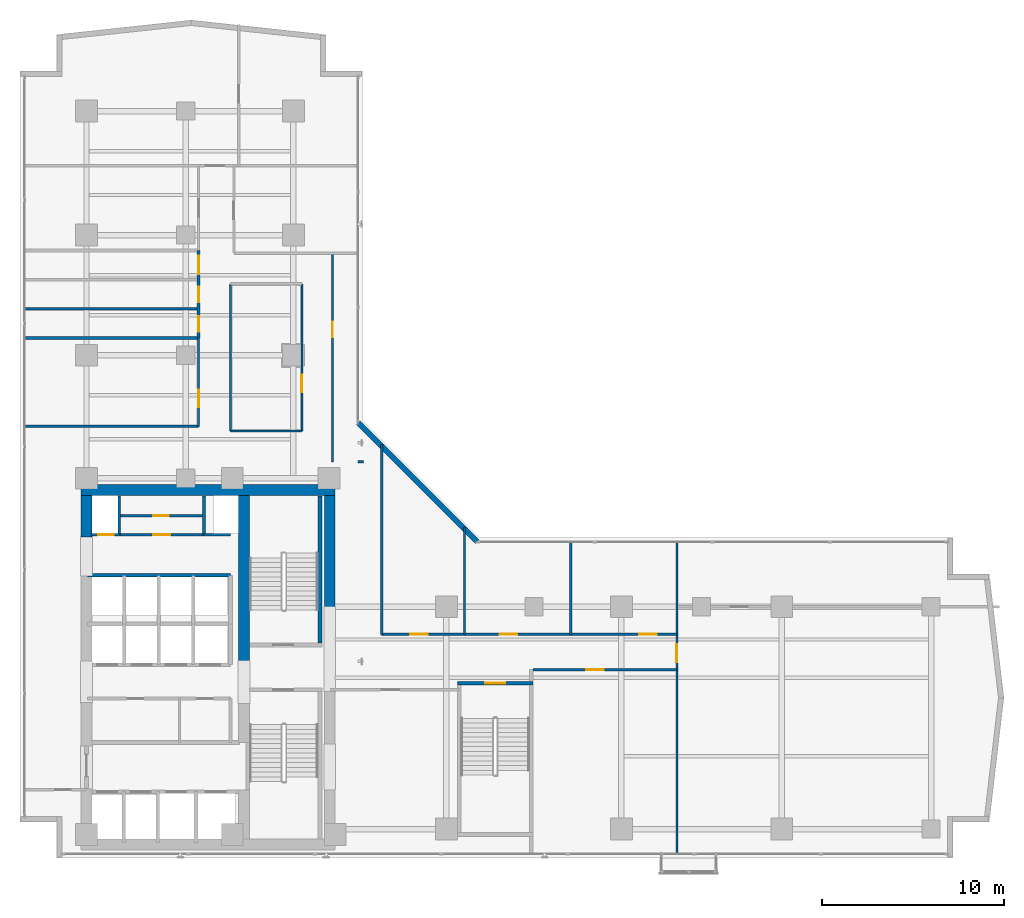
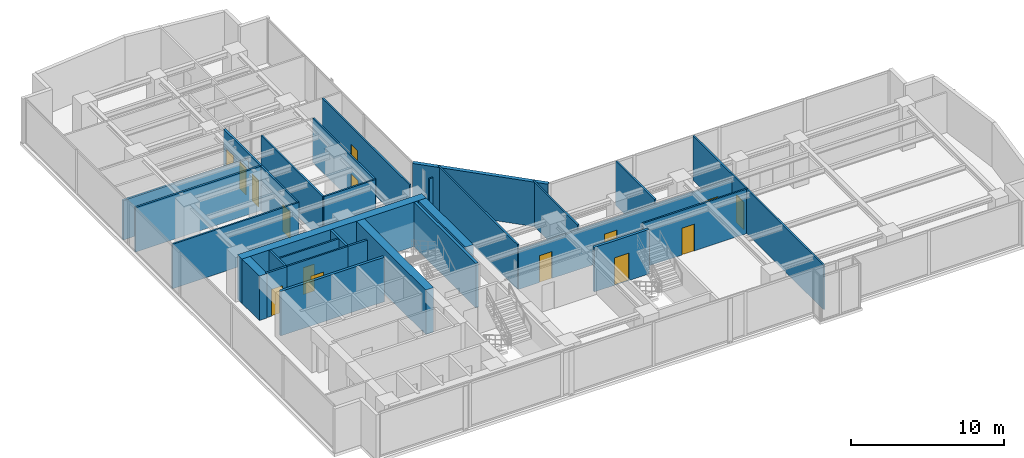
# One storey, part 20 of 26: 30 walls, 15 doors, 15 openings.
"""IFC4 building model written with IfcOpenShell, lengths in metres."""

from ifc_helpers import new_model, si_unit, direction, frame, frame_2d, origin, place, context, subcontext, project, spatial, rectangle, extrude, material, layer, layer_set, type_object, element, fill, save


model = new_model("IFC4")

# Units and contexts
model_context = context("Model", 3, precision=1e-05, world=origin(), true_north=direction((0.0, 1.0)))
body_context = subcontext(model_context, "Body", "Model", "MODEL_VIEW")
ifc_project = project(units=[si_unit("LENGTHUNIT", "METRE"), si_unit("AREAUNIT", "SQUARE_METRE"), si_unit("VOLUMEUNIT", "CUBIC_METRE"), si_unit("PLANEANGLEUNIT", "RADIAN"), si_unit("MASSUNIT", "GRAM", prefix="KILO")], contexts=[model_context])

# Site, building, storey
site_placement = place(None, origin())
site = spatial("IfcSite", under=ifc_project, at=site_placement, CompositionType="ELEMENT")
building_placement = place(site_placement, origin())
building = spatial("IfcBuilding", under=site, at=building_placement, Name="Kolvaren Waterfront Exchange", CompositionType="ELEMENT")
storey_placement = place(building_placement, frame((0.0, 0.0, 150.0)))
storey = spatial("IfcBuildingStorey", under=building, at=storey_placement, Name="L38", CompositionType="ELEMENT", Elevation=150.0)

# Wall
ifc_material_1 = material(Name="Precast concrete C40/50", Category="concrete")
ifc_layer_1 = layer(ifc_material_1, 0.280029296875, Name="Precast concrete C40/50")
ifc_layer_set_1 = layer_set([ifc_layer_1], Name="Precast concrete C40/50")
wall_type_1 = type_object("IfcWallType", Name="ARC-EXT-TERR-280", PredefinedType="SOLIDWALL", material=ifc_layer_set_1)
wall_1_placement = place(storey_placement, frame((28.885009765625, 20.97509765625, 0.0), z_axis=(0.0, 0.0, 1.0), x_axis=(-0.707106781187, 0.707106781187, 0.0)))
element("IfcWall", 1, at=wall_1_placement, inside=storey, type_object=wall_type_1, Name="L38 notched corner spandrel pier ELBOW", PredefinedType="SOLIDWALL", context=body_context, shape_type="SweptSolid", body=[
    extrude(rectangle(XDim=9.20654296875, YDim=0.280029296875, at=frame_2d((4.603271484375, 0.0))), origin(), (0.0, 0.0, 1.0), 3.56005859375),
])

# Wall, opening, door
ifc_material_2 = material(Name="Acoustic gypsum steel stud", Category="steel")
ifc_layer_2 = layer(ifc_material_2, 0.125, Name="Acoustic gypsum steel stud")
ifc_layer_set_2 = layer_set([ifc_layer_2], Name="Acoustic gypsum steel stud")
wall_type_2 = type_object("IfcWallType", Name="ARC-PART-125", PredefinedType="PARTITIONING", material=ifc_layer_set_2)
wall_2_placement = place(storey_placement, frame((9.25, 21.35009765625, 0.0), z_axis=(0.0, 0.0, 1.0), x_axis=(1.0, 0.0, 0.0)))
wall_2 = element("IfcWall", 2, at=wall_2_placement, inside=storey, type_object=wall_type_2, Name="L38 interior wall PW-L38-SVC-EX-S", PredefinedType="PARTITIONING", context=body_context, shape_type="SweptSolid", body=[
    extrude(rectangle(XDim=4.64990234375, YDim=0.125, at=frame_2d((2.324951171875, 0.0))), origin(), (0.0, 0.0, 1.0), 3.56005859375),
])
opening_1_placement = place(wall_2_placement, frame((1.85009765625, 0.0, 0.0)))
opening_1 = element("IfcOpeningElement", 3, at=opening_1_placement, cuts=wall_2, Name="Opening D02", PredefinedType="OPENING", context=body_context, shape_type="SweptSolid", body=[
    extrude(rectangle(XDim=0.949951171875, YDim=2.14990234375, at=frame_2d((0.47509765625, 1.074951171875))), frame((0.0, 0.072509765625, 0.0), z_axis=(0.0, -1.0, 0.0), x_axis=(1.0, 0.0, 0.0)), (0.0, 0.0, 1.0), 0.14501953125),
])
ifc_material_3 = material(Name="Oak veneer acoustic timber", Category="wood")
door_type_1 = type_object("IfcDoorType", Name="ARC-DR-950", OperationType="NOTDEFINED", PredefinedType="DOOR", material=ifc_material_3)
door_1_placement = place(opening_1_placement, origin())
door_1 = element("IfcDoor", 4, at=door_1_placement, inside=storey, type_object=door_type_1, Name="L38 door DR-L38-SVC-DR-1 (D02)", OperationType="SINGLE_SWING_LEFT", OverallHeight=2.14990234375, OverallWidth=0.949951171875, PredefinedType="DOOR", context=body_context, shape_type="SweptSolid", body=[
    extrude(rectangle(XDim=0.949951171875, YDim=2.14990234375, at=frame_2d((0.47509765625, 1.074951171875))), frame((0.0, 0.02490234375, 0.0), z_axis=(0.0, -1.0, 0.0), x_axis=(1.0, 0.0, 0.0)), (0.0, 0.0, 1.0), 0.050048828125),
])
fill(opening_1, door_1)

wall_3_placement = place(storey_placement, frame((9.25, 22.39990234375, 0.0), z_axis=(0.0, 0.0, 1.0), x_axis=(1.0, 0.0, 0.0)))
wall_3 = element("IfcWall", 5, at=wall_3_placement, inside=storey, type_object=wall_type_2, Name="L38 interior wall PW-L38-SVC-EX-HS", PredefinedType="PARTITIONING", context=body_context, shape_type="SweptSolid", body=[
    extrude(rectangle(XDim=4.64990234375, YDim=0.125, at=frame_2d((2.324951171875, 0.0))), origin(), (0.0, 0.0, 1.0), 3.56005859375),
])
opening_2_placement = place(wall_3_placement, frame((1.875, 0.0, 0.0)))
opening_2 = element("IfcOpeningElement", 6, at=opening_2_placement, cuts=wall_3, Name="Opening D01", PredefinedType="OPENING", context=body_context, shape_type="SweptSolid", body=[
    extrude(rectangle(XDim=0.85009765625, YDim=2.14990234375, at=frame_2d((0.425048828125, 1.074951171875))), frame((0.0, 0.072509765625, 0.0), z_axis=(0.0, -1.0, 0.0), x_axis=(1.0, 0.0, 0.0)), (0.0, 0.0, 1.0), 0.14501953125),
])
ifc_material_4 = material(Name="Oak veneer timber leaf", Category="wood")
door_type_2 = type_object("IfcDoorType", Name="ARC-DR-900", OperationType="NOTDEFINED", PredefinedType="DOOR", material=ifc_material_4)
door_2_placement = place(opening_2_placement, origin())
door_2 = element("IfcDoor", 7, at=door_2_placement, inside=storey, type_object=door_type_2, Name="L38 door DR-L38-SVC-DR-2 (D01)", OperationType="SINGLE_SWING_RIGHT", OverallHeight=2.14990234375, OverallWidth=0.85009765625, PredefinedType="DOOR", context=body_context, shape_type="SweptSolid", body=[
    extrude(rectangle(XDim=0.85009765625, YDim=2.14990234375, at=frame_2d((0.425048828125, 1.074951171875))), frame((0.0, 0.02490234375, 0.0), z_axis=(0.0, -1.0, 0.0), x_axis=(1.0, 0.0, 0.0)), (0.0, 0.0, 1.0), 0.050048828125),
])
fill(opening_2, door_2)

# Walls
wall_4_placement = place(storey_placement, frame((15.35009765625, 27.050048828125, 0.0), z_axis=(0.0, 0.0, 1.0), x_axis=(1.0, 0.0, 0.0)))
element("IfcWall", 8, at=wall_4_placement, inside=storey, type_object=wall_type_2, Name="L38 interior wall PW-L38-ISL-S", PredefinedType="PARTITIONING", context=body_context, shape_type="SweptSolid", body=[
    extrude(rectangle(XDim=3.919921875, YDim=0.125, at=frame_2d((1.9599609375, 0.0))), origin(), (0.0, 0.0, 1.0), 3.56005859375),
])
wall_5_placement = place(storey_placement, frame((15.35009765625, 27.050048828125, 0.0), z_axis=(0.0, 0.0, 1.0), x_axis=(0.0, 1.0, 0.0)))
element("IfcWall", 9, at=wall_5_placement, inside=storey, type_object=wall_type_2, Name="L38 interior wall PW-L38-ISL-W", PredefinedType="PARTITIONING", context=body_context, shape_type="SweptSolid", body=[
    extrude(rectangle(XDim=8.070068359375, YDim=0.125, at=frame_2d((4.03515625, 0.0))), origin(), (0.0, 0.0, 1.0), 3.56005859375),
])

# Wall, opening, door
wall_6_placement = place(storey_placement, frame((19.27001953125, 27.050048828125, 0.0), z_axis=(0.0, 0.0, 1.0), x_axis=(0.0, 1.0, 0.0)))
wall_6 = element("IfcWall", 10, at=wall_6_placement, inside=storey, type_object=wall_type_2, Name="L38 interior wall PW-L38-ISL-E", PredefinedType="PARTITIONING", context=body_context, shape_type="SweptSolid", body=[
    extrude(rectangle(XDim=8.070068359375, YDim=0.125, at=frame_2d((4.03515625, 0.0))), origin(), (0.0, 0.0, 1.0), 3.56005859375),
])
opening_3_placement = place(wall_6_placement, frame((2.126708984375, 0.0, 0.0)))
opening_3 = element("IfcOpeningElement", 11, at=opening_3_placement, cuts=wall_6, Name="Opening D02", PredefinedType="OPENING", context=body_context, shape_type="SweptSolid", body=[
    extrude(rectangle(XDim=0.949951171875, YDim=2.14990234375, at=frame_2d((0.47509765625, 1.074951171875))), frame((0.0, 0.072509765625, 0.0), z_axis=(0.0, -1.0, 0.0), x_axis=(1.0, 0.0, 0.0)), (0.0, 0.0, 1.0), 0.14501953125),
])
door_3_placement = place(opening_3_placement, origin())
door_3 = element("IfcDoor", 12, at=door_3_placement, inside=storey, type_object=door_type_1, Name="L38 door DR-L38-ISL-D (D02)", OperationType="SINGLE_SWING_LEFT", OverallHeight=2.14990234375, OverallWidth=0.949951171875, PredefinedType="DOOR", context=body_context, shape_type="SweptSolid", body=[
    extrude(rectangle(XDim=0.949951171875, YDim=2.14990234375, at=frame_2d((0.47509765625, 1.074951171875))), frame((0.0, 0.02490234375, 0.0), z_axis=(0.0, -1.0, 0.0), x_axis=(1.0, 0.0, 0.0)), (0.0, 0.0, 1.0), 0.050048828125),
])
fill(opening_3, door_3)

wall_7_placement = place(storey_placement, frame((13.60009765625, 27.300048828125, 0.0), z_axis=(0.0, 0.0, 1.0), x_axis=(0.0, 1.0, 0.0)))
wall_7 = element("IfcWall", 13, at=wall_7_placement, inside=storey, type_object=wall_type_2, Name="L38 interior wall PW-L38-PREWC-E", PredefinedType="PARTITIONING", context=body_context, shape_type="SweptSolid", body=[
    extrude(rectangle(XDim=4.849853515625, YDim=0.125, at=frame_2d((2.4248046875, 0.0))), origin(), (0.0, 0.0, 1.0), 3.56005859375),
])
opening_4_placement = place(wall_7_placement, frame((1.050048828125, 0.0, 0.0)))
opening_4 = element("IfcOpeningElement", 14, at=opening_4_placement, cuts=wall_7, Name="Opening D02", PredefinedType="OPENING", context=body_context, shape_type="SweptSolid", body=[
    extrude(rectangle(XDim=0.949951171875, YDim=2.14990234375, at=frame_2d((0.47509765625, 1.074951171875))), frame((0.0, 0.072509765625, 0.0), z_axis=(0.0, -1.0, 0.0), x_axis=(1.0, 0.0, 0.0)), (0.0, 0.0, 1.0), 0.14501953125),
])
door_4_placement = place(opening_4_placement, origin())
door_4 = element("IfcDoor", 15, at=door_4_placement, inside=storey, type_object=door_type_1, Name="L38 door DR-L38-PREWC-D (D02)", OperationType="SINGLE_SWING_RIGHT", OverallHeight=2.14990234375, OverallWidth=0.949951171875, PredefinedType="DOOR", context=body_context, shape_type="SweptSolid", body=[
    extrude(rectangle(XDim=0.949951171875, YDim=2.14990234375, at=frame_2d((0.47509765625, 1.074951171875))), frame((0.0, 0.02490234375, 0.0), z_axis=(0.0, -1.0, 0.0), x_axis=(1.0, 0.0, 0.0)), (0.0, 0.0, 1.0), 0.050048828125),
])
fill(opening_4, door_4)

# Wall
wall_8_placement = place(storey_placement, frame((4.0400390625, 27.300048828125, 0.0), z_axis=(0.0, 0.0, 1.0), x_axis=(1.0, 0.0, 0.0)))
element("IfcWall", 16, at=wall_8_placement, inside=storey, type_object=wall_type_2, Name="L38 interior wall PW-L38-PREWC-S", PredefinedType="PARTITIONING", context=body_context, shape_type="SweptSolid", body=[
    extrude(rectangle(XDim=9.56005859375, YDim=0.125, at=frame_2d((4.780029296875, 0.0))), origin(), (0.0, 0.0, 1.0), 3.56005859375),
])

# Wall, opening, door
wall_9_placement = place(storey_placement, frame((20.949951171875, 25.35009765625, 0.0), z_axis=(0.0, 0.0, 1.0), x_axis=(0.0, 1.0, 0.0)))
wall_9 = element("IfcWall", 17, at=wall_9_placement, inside=storey, type_object=wall_type_2, Name="L38 interior wall PW-L38-RFLANK-W", PredefinedType="PARTITIONING", context=body_context, shape_type="SweptSolid", body=[
    extrude(rectangle(XDim=11.449951171875, YDim=0.125, at=frame_2d((5.72509765625, 0.0))), origin(), (0.0, 0.0, 1.0), 3.56005859375),
])
opening_5_placement = place(wall_9_placement, frame((6.834716796875, 0.0, 0.0)))
opening_5 = element("IfcOpeningElement", 18, at=opening_5_placement, cuts=wall_9, Name="Opening D01", PredefinedType="OPENING", context=body_context, shape_type="SweptSolid", body=[
    extrude(rectangle(XDim=0.85009765625, YDim=2.14990234375, at=frame_2d((0.425048828125, 1.074951171875))), frame((0.0, 0.072509765625, 0.0), z_axis=(0.0, -1.0, 0.0), x_axis=(1.0, 0.0, 0.0)), (0.0, 0.0, 1.0), 0.14501953125),
])
door_5_placement = place(opening_5_placement, origin())
door_5 = element("IfcDoor", 19, at=door_5_placement, inside=storey, type_object=door_type_2, Name="L38 door DR-L38-RFLANK-D (D01)", OperationType="SINGLE_SWING_RIGHT", OverallHeight=2.14990234375, OverallWidth=0.85009765625, PredefinedType="DOOR", context=body_context, shape_type="SweptSolid", body=[
    extrude(rectangle(XDim=0.85009765625, YDim=2.14990234375, at=frame_2d((0.425048828125, 1.074951171875))), frame((0.0, 0.02490234375, 0.0), z_axis=(0.0, -1.0, 0.0), x_axis=(1.0, 0.0, 0.0)), (0.0, 0.0, 1.0), 0.050048828125),
])
fill(opening_5, door_5)

# Wall
wall_10_placement = place(storey_placement, frame((22.64990234375, 25.35009765625, 0.0), z_axis=(0.0, 0.0, 1.0), x_axis=(-1.0, 0.0, 0.0)))
element("IfcWall", 20, at=wall_10_placement, inside=storey, type_object=wall_type_2, Name="L38 interior wall PW-L38-RFLANK-S", PredefinedType="PARTITIONING", context=body_context, shape_type="SweptSolid", body=[
    extrude(rectangle(XDim=0.289794921875, YDim=0.125, at=frame_2d((0.14501953125, 0.0))), origin(), (0.0, 0.0, 1.0), 3.56005859375),
])

# Wall, opening, door
wall_11_placement = place(storey_placement, frame((31.949951171875, 13.949951171875, 0.0), z_axis=(0.0, 0.0, 1.0), x_axis=(1.0, 0.0, 0.0)))
wall_11 = element("IfcWall", 21, at=wall_11_placement, inside=storey, type_object=wall_type_2, Name="L38 interior wall PW-L38-ES-CORR", PredefinedType="PARTITIONING", context=body_context, shape_type="SweptSolid", body=[
    extrude(rectangle(XDim=7.900146484375, YDim=0.125, at=frame_2d((3.9501953125, 0.0))), origin(), (0.0, 0.0, 1.0), 3.56005859375),
])
opening_6_placement = place(wall_11_placement, frame((2.9296875, 0.0, 0.0)))
opening_6 = element("IfcOpeningElement", 22, at=opening_6_placement, cuts=wall_11, Name="Opening D02", PredefinedType="OPENING", context=body_context, shape_type="SweptSolid", body=[
    extrude(rectangle(XDim=0.949951171875, YDim=2.14990234375, at=frame_2d((0.47509765625, 1.074951171875))), frame((0.0, 0.072509765625, 0.0), z_axis=(0.0, -1.0, 0.0), x_axis=(1.0, 0.0, 0.0)), (0.0, 0.0, 1.0), 0.14501953125),
])
door_6_placement = place(opening_6_placement, origin())
door_6 = element("IfcDoor", 23, at=door_6_placement, inside=storey, type_object=door_type_1, Name="L38 door DR-L38-ES-D-1 (D02)", OperationType="SINGLE_SWING_LEFT", OverallHeight=2.14990234375, OverallWidth=0.949951171875, PredefinedType="DOOR", context=body_context, shape_type="SweptSolid", body=[
    extrude(rectangle(XDim=0.949951171875, YDim=2.14990234375, at=frame_2d((0.47509765625, 1.074951171875))), frame((0.0, 0.02490234375, 0.0), z_axis=(0.0, -1.0, 0.0), x_axis=(1.0, 0.0, 0.0)), (0.0, 0.0, 1.0), 0.050048828125),
])
fill(opening_6, door_6)

wall_12_placement = place(storey_placement, frame((39.85009765625, 3.840087890625, 0.0), z_axis=(0.0, 0.0, 1.0), x_axis=(0.0, 1.0, 0.0)))
wall_12 = element("IfcWall", 24, at=wall_12_placement, inside=storey, type_object=wall_type_2, Name="L38 interior wall PW-L38-ETIP-W", PredefinedType="PARTITIONING", context=body_context, shape_type="SweptSolid", body=[
    extrude(rectangle(XDim=17.119873046875, YDim=0.125, at=frame_2d((8.56005859375, 0.0))), origin(), (0.0, 0.0, 1.0), 3.56005859375),
])
opening_7_placement = place(wall_12_placement, frame((10.510009765625, 0.0, 0.0)))
opening_7 = element("IfcOpeningElement", 25, at=opening_7_placement, cuts=wall_12, Name="Opening D03", PredefinedType="OPENING", context=body_context, shape_type="SweptSolid", body=[
    extrude(rectangle(XDim=1.0, YDim=2.199951171875, at=frame_2d((0.5, 1.10009765625))), frame((0.0, 0.072509765625, 0.0), z_axis=(0.0, -1.0, 0.0), x_axis=(1.0, 0.0, 0.0)), (0.0, 0.0, 1.0), 0.14501953125),
])
ifc_material_5 = material(Name="Oak veneer accessible timber", Category="wood")
door_type_3 = type_object("IfcDoorType", Name="ARC-DR-1000", OperationType="NOTDEFINED", PredefinedType="DOOR", material=ifc_material_5)
door_7_placement = place(opening_7_placement, origin())
door_7 = element("IfcDoor", 26, at=door_7_placement, inside=storey, type_object=door_type_3, Name="L38 door DR-L38-ETIP1-D (D03)", OperationType="SINGLE_SWING_RIGHT", OverallHeight=2.199951171875, OverallWidth=1.0, PredefinedType="DOOR", context=body_context, shape_type="SweptSolid", body=[
    extrude(rectangle(XDim=1.0, YDim=2.199951171875, at=frame_2d((0.5, 1.10009765625))), frame((0.0, 0.02490234375, 0.0), z_axis=(0.0, -1.0, 0.0), x_axis=(1.0, 0.0, 0.0)), (0.0, 0.0, 1.0), 0.050048828125),
])
fill(opening_7, door_7)

# Wall
wall_13_placement = place(storey_placement, frame((23.64990234375, 15.889892578125, 0.0), z_axis=(0.0, 0.0, 1.0), x_axis=(0.0, 1.0, 0.0)))
element("IfcWall", 27, at=wall_13_placement, inside=storey, type_object=wall_type_2, Name="L38 interior wall PW-L38-EN-W0", PredefinedType="PARTITIONING", context=body_context, shape_type="SweptSolid", body=[
    extrude(rectangle(XDim=10.420166015625, YDim=0.125, at=frame_2d((5.2099609375, 0.0))), origin(), (0.0, 0.0, 1.0), 3.56005859375),
])

# Wall, openings, doors
wall_14_placement = place(storey_placement, frame((23.64990234375, 15.889892578125, 0.0), z_axis=(0.0, 0.0, 1.0), x_axis=(1.0, 0.0, 0.0)))
wall_14 = element("IfcWall", 28, at=wall_14_placement, inside=storey, type_object=wall_type_2, Name="L38 interior wall PW-L38-EN-CORR", PredefinedType="PARTITIONING", context=body_context, shape_type="SweptSolid", body=[
    extrude(rectangle(XDim=16.2001953125, YDim=0.125, at=frame_2d((8.10009765625, 0.0))), origin(), (0.0, 0.0, 1.0), 3.159912109375),
])
opening_8_placement = place(wall_14_placement, frame((1.57470703125, 0.0, 0.0)))
opening_8 = element("IfcOpeningElement", 29, at=opening_8_placement, cuts=wall_14, Name="Opening D02", PredefinedType="OPENING", context=body_context, shape_type="SweptSolid", body=[
    extrude(rectangle(XDim=0.949951171875, YDim=2.14990234375, at=frame_2d((0.47509765625, 1.074951171875))), frame((0.0, 0.072509765625, 0.0), z_axis=(0.0, -1.0, 0.0), x_axis=(1.0, 0.0, 0.0)), (0.0, 0.0, 1.0), 0.14501953125),
])
opening_9_placement = place(wall_14_placement, frame((6.487548828125, 0.0, 0.0)))
opening_9 = element("IfcOpeningElement", 30, at=opening_9_placement, cuts=wall_14, Name="Opening D02", PredefinedType="OPENING", context=body_context, shape_type="SweptSolid", body=[
    extrude(rectangle(XDim=0.949951171875, YDim=2.14990234375, at=frame_2d((0.47509765625, 1.074951171875))), frame((0.0, 0.072509765625, 0.0), z_axis=(0.0, -1.0, 0.0), x_axis=(1.0, 0.0, 0.0)), (0.0, 0.0, 1.0), 0.14501953125),
])
opening_10_placement = place(wall_14_placement, frame((14.146484375, 0.0, 0.0)))
opening_10 = element("IfcOpeningElement", 31, at=opening_10_placement, cuts=wall_14, Name="Opening D02", PredefinedType="OPENING", context=body_context, shape_type="SweptSolid", body=[
    extrude(rectangle(XDim=0.949951171875, YDim=2.14990234375, at=frame_2d((0.47509765625, 1.074951171875))), frame((0.0, 0.072509765625, 0.0), z_axis=(0.0, -1.0, 0.0), x_axis=(1.0, 0.0, 0.0)), (0.0, 0.0, 1.0), 0.14501953125),
])
door_8_placement = place(opening_8_placement, origin())
door_8 = element("IfcDoor", 32, at=door_8_placement, inside=storey, type_object=door_type_1, Name="L38 door DR-L38-EN-D-1 (D02)", OperationType="SINGLE_SWING_RIGHT", OverallHeight=2.14990234375, OverallWidth=0.949951171875, PredefinedType="DOOR", context=body_context, shape_type="SweptSolid", body=[
    extrude(rectangle(XDim=0.949951171875, YDim=2.14990234375, at=frame_2d((0.47509765625, 1.074951171875))), frame((0.0, 0.02490234375, 0.0), z_axis=(0.0, -1.0, 0.0), x_axis=(1.0, 0.0, 0.0)), (0.0, 0.0, 1.0), 0.050048828125),
])
fill(opening_8, door_8)
door_9_placement = place(opening_9_placement, origin())
door_9 = element("IfcDoor", 33, at=door_9_placement, inside=storey, type_object=door_type_1, Name="L38 door DR-L38-EN-D-2 (D02)", OperationType="SINGLE_SWING_LEFT", OverallHeight=2.14990234375, OverallWidth=0.949951171875, PredefinedType="DOOR", context=body_context, shape_type="SweptSolid", body=[
    extrude(rectangle(XDim=0.949951171875, YDim=2.14990234375, at=frame_2d((0.47509765625, 1.074951171875))), frame((0.0, 0.02490234375, 0.0), z_axis=(0.0, -1.0, 0.0), x_axis=(1.0, 0.0, 0.0)), (0.0, 0.0, 1.0), 0.050048828125),
])
fill(opening_9, door_9)
door_10_placement = place(opening_10_placement, origin())
door_10 = element("IfcDoor", 34, at=door_10_placement, inside=storey, type_object=door_type_1, Name="L38 door DR-L38-EN-D-3 (D02)", OperationType="SINGLE_SWING_RIGHT", OverallHeight=2.14990234375, OverallWidth=0.949951171875, PredefinedType="DOOR", context=body_context, shape_type="SweptSolid", body=[
    extrude(rectangle(XDim=0.949951171875, YDim=2.14990234375, at=frame_2d((0.47509765625, 1.074951171875))), frame((0.0, 0.02490234375, 0.0), z_axis=(0.0, -1.0, 0.0), x_axis=(1.0, 0.0, 0.0)), (0.0, 0.0, 1.0), 0.050048828125),
])
fill(opening_10, door_10)

# Walls
wall_15_placement = place(storey_placement, frame((28.18994140625, 15.889892578125, 0.0), z_axis=(0.0, 0.0, 1.0), x_axis=(0.0, 1.0, 0.0)))
element("IfcWall", 35, at=wall_15_placement, inside=storey, type_object=wall_type_2, Name="L38 interior wall PW-L38-EN-DIV-1", PredefinedType="PARTITIONING", context=body_context, shape_type="SweptSolid", body=[
    extrude(rectangle(XDim=5.880126953125, YDim=0.125, at=frame_2d((2.93994140625, 0.0))), origin(), (0.0, 0.0, 1.0), 3.56005859375),
])
wall_16_placement = place(storey_placement, frame((34.02001953125, 15.889892578125, 0.0), z_axis=(0.0, 0.0, 1.0), x_axis=(0.0, 1.0, 0.0)))
element("IfcWall", 36, at=wall_16_placement, inside=storey, type_object=wall_type_2, Name="L38 interior wall PW-L38-EN-DIV-2", PredefinedType="PARTITIONING", context=body_context, shape_type="SweptSolid", body=[
    extrude(rectangle(XDim=5.070068359375, YDim=0.125, at=frame_2d((2.53515625, 0.0))), origin(), (0.0, 0.0, 1.0), 3.56005859375),
])
ifc_material_6 = material(Name="Gypsum fireboard steel stud", Category="steel")
ifc_layer_3 = layer(ifc_material_6, 0.14990234375, Name="Gypsum fireboard steel stud")
ifc_layer_set_3 = layer_set([ifc_layer_3], Name="Gypsum fireboard steel stud")
wall_type_3 = type_object("IfcWallType", Name="ARC-PART-150", PredefinedType="PARTITIONING", material=ifc_layer_set_3)
for number, where, z_axis, x_axis, name in (
    (37, (9.25, 21.35009765625, 0.0), (0.0, 0.0, 1.0), (0.0, 1.0, 0.0), "L38 interior wall PW-L38-SVC-R1"),
    (38, (13.89990234375, 21.35009765625, 0.0), (0.0, 0.0, 1.0), (0.0, 1.0, 0.0), "L38 interior wall PW-L38-SVC-R2"),
):
    element("IfcWall", number, at=place(storey_placement, frame(where, z_axis=z_axis, x_axis=x_axis)), inside=storey, type_object=wall_type_3, Name=name, PredefinedType="PARTITIONING", context=body_context, shape_type="SweptSolid", body=[
        extrude(rectangle(XDim=2.1298828125, YDim=0.14990234375, at=frame_2d((1.06494140625, 0.0))), origin(), (0.0, 0.0, 1.0), 3.56005859375),
    ])

# Wall, opening, door
wall_17_placement = place(storey_placement, frame((7.699951171875, 21.35009765625, 0.0), z_axis=(0.0, 0.0, 1.0), x_axis=(1.0, 0.0, 0.0)))
wall_17 = element("IfcWall", 39, at=wall_17_placement, inside=storey, type_object=wall_type_3, Name="L38 interior wall PW-L38-SVC-RE-S", PredefinedType="PARTITIONING", context=body_context, shape_type="SweptSolid", body=[
    extrude(rectangle(XDim=1.550048828125, YDim=0.14990234375, at=frame_2d((0.77490234375, 0.0))), origin(), (0.0, 0.0, 1.0), 3.56005859375),
])
opening_11_placement = place(wall_17_placement, frame((0.389892578125, 0.0, 0.0)))
opening_11 = element("IfcOpeningElement", 40, at=opening_11_placement, cuts=wall_17, Name="Opening FD1", PredefinedType="OPENING", context=body_context, shape_type="SweptSolid", body=[
    extrude(rectangle(XDim=0.85009765625, YDim=2.14990234375, at=frame_2d((0.425048828125, 1.074951171875))), frame((0.0, 0.0849609375, 0.0), z_axis=(0.0, -1.0, 0.0), x_axis=(1.0, 0.0, 0.0)), (0.0, 0.0, 1.0), 0.169921875),
])
ifc_material_7 = material(Name="Pressed steel fire leaf", Category="steel")
door_type_4 = type_object("IfcDoorType", Name="ARC-FD-900", OperationType="NOTDEFINED", PredefinedType="DOOR", material=ifc_material_7)
door_11_placement = place(opening_11_placement, origin())
door_11 = element("IfcDoor", 41, at=door_11_placement, inside=storey, type_object=door_type_4, Name="L38 door DR-L38-RISER-E-DR (FD1)", OperationType="SINGLE_SWING_RIGHT", OverallHeight=2.14990234375, OverallWidth=0.85009765625, PredefinedType="DOOR", context=body_context, shape_type="SweptSolid", body=[
    extrude(rectangle(XDim=0.85009765625, YDim=2.14990234375, at=frame_2d((0.425048828125, 1.074951171875))), frame((0.0, 0.02490234375, 0.0), z_axis=(0.0, -1.0, 0.0), x_axis=(1.0, 0.0, 0.0)), (0.0, 0.0, 1.0), 0.050048828125),
])
fill(opening_11, door_11)

# Walls
wall_18_placement = place(storey_placement, frame((13.89990234375, 21.35009765625, 0.0), z_axis=(0.0, 0.0, 1.0), x_axis=(1.0, 0.0, 0.0)))
element("IfcWall", 42, at=wall_18_placement, inside=storey, type_object=wall_type_3, Name="L38 interior wall PW-L38-SVC-RP-S", PredefinedType="PARTITIONING", context=body_context, shape_type="SweptSolid", body=[
    extrude(rectangle(XDim=1.4501953125, YDim=0.14990234375, at=frame_2d((0.72509765625, 0.0))), origin(), (0.0, 0.0, 1.0), 3.56005859375),
])
ifc_material_8 = material(Name="Moisture-resistant gypsum stud")
ifc_layer_4 = layer(ifc_material_8, 0.14990234375, Name="Moisture-resistant gypsum stud")
ifc_layer_set_4 = layer_set([ifc_layer_4], Name="Moisture-resistant gypsum stud")
wall_type_4 = type_object("IfcWallType", Name="ARC-PLUMB-150", PredefinedType="PLUMBINGWALL", material=ifc_layer_set_4)
wall_19_placement = place(storey_placement, frame((4.0400390625, 32.14990234375, 0.0), z_axis=(0.0, 0.0, 1.0), x_axis=(1.0, 0.0, 0.0)))
element("IfcWall", 43, at=wall_19_placement, inside=storey, type_object=wall_type_4, Name="L38 interior wall PW-L38-WC-0", PredefinedType="PLUMBINGWALL", context=body_context, shape_type="SweptSolid", body=[
    extrude(rectangle(XDim=9.56005859375, YDim=0.14990234375, at=frame_2d((4.780029296875, 0.0))), origin(), (0.0, 0.0, 1.0), 3.56005859375),
])

# Wall, openings, doors
wall_20_placement = place(storey_placement, frame((13.60009765625, 32.14990234375, 0.0), z_axis=(0.0, 0.0, 1.0), x_axis=(0.0, 1.0, 0.0)))
wall_20 = element("IfcWall", 44, at=wall_20_placement, inside=storey, type_object=wall_type_4, Name="L38 interior wall PW-L38-WC-E", PredefinedType="PLUMBINGWALL", context=body_context, shape_type="SweptSolid", body=[
    extrude(rectangle(XDim=4.800048828125, YDim=0.14990234375, at=frame_2d((2.39990234375, 0.0))), origin(), (0.0, 0.0, 1.0), 3.56005859375),
])
opening_12_placement = place(wall_20_placement, frame((0.35009765625, 0.0, 0.0)))
opening_12 = element("IfcOpeningElement", 45, at=opening_12_placement, cuts=wall_20, Name="Opening D01", PredefinedType="OPENING", context=body_context, shape_type="SweptSolid", body=[
    extrude(rectangle(XDim=0.85009765625, YDim=2.14990234375, at=frame_2d((0.425048828125, 1.074951171875))), frame((0.0, 0.0849609375, 0.0), z_axis=(0.0, -1.0, 0.0), x_axis=(1.0, 0.0, 0.0)), (0.0, 0.0, 1.0), 0.169921875),
])
opening_13_placement = place(wall_20_placement, frame((1.949951171875, 0.0, 0.0)))
opening_13 = element("IfcOpeningElement", 46, at=opening_13_placement, cuts=wall_20, Name="Opening D01", PredefinedType="OPENING", context=body_context, shape_type="SweptSolid", body=[
    extrude(rectangle(XDim=0.85009765625, YDim=2.14990234375, at=frame_2d((0.425048828125, 1.074951171875))), frame((0.0, 0.0849609375, 0.0), z_axis=(0.0, -1.0, 0.0), x_axis=(1.0, 0.0, 0.0)), (0.0, 0.0, 1.0), 0.169921875),
])
opening_14_placement = place(wall_20_placement, frame((3.5, 0.0, 0.0)))
opening_14 = element("IfcOpeningElement", 47, at=opening_14_placement, cuts=wall_20, Name="Opening D03", PredefinedType="OPENING", context=body_context, shape_type="SweptSolid", body=[
    extrude(rectangle(XDim=1.0, YDim=2.199951171875, at=frame_2d((0.5, 1.10009765625))), frame((0.0, 0.0849609375, 0.0), z_axis=(0.0, -1.0, 0.0), x_axis=(1.0, 0.0, 0.0)), (0.0, 0.0, 1.0), 0.169921875),
])
door_12_placement = place(opening_14_placement, origin())
door_12 = element("IfcDoor", 48, at=door_12_placement, inside=storey, type_object=door_type_3, Name="L38 door DR-L38-WCA-D (D03)", OperationType="SINGLE_SWING_LEFT", OverallHeight=2.199951171875, OverallWidth=1.0, PredefinedType="DOOR", context=body_context, shape_type="SweptSolid", body=[
    extrude(rectangle(XDim=1.0, YDim=2.199951171875, at=frame_2d((0.5, 1.10009765625))), frame((0.0, 0.02490234375, 0.0), z_axis=(0.0, -1.0, 0.0), x_axis=(1.0, 0.0, 0.0)), (0.0, 0.0, 1.0), 0.050048828125),
])
fill(opening_14, door_12)
door_13_placement = place(opening_12_placement, origin())
door_13 = element("IfcDoor", 49, at=door_13_placement, inside=storey, type_object=door_type_2, Name="L38 door DR-L38-WCM-D (D01)", OperationType="SINGLE_SWING_LEFT", OverallHeight=2.14990234375, OverallWidth=0.85009765625, PredefinedType="DOOR", context=body_context, shape_type="SweptSolid", body=[
    extrude(rectangle(XDim=0.85009765625, YDim=2.14990234375, at=frame_2d((0.425048828125, 1.074951171875))), frame((0.0, 0.02490234375, 0.0), z_axis=(0.0, -1.0, 0.0), x_axis=(1.0, 0.0, 0.0)), (0.0, 0.0, 1.0), 0.050048828125),
])
fill(opening_12, door_13)
door_14_placement = place(opening_13_placement, origin())
door_14 = element("IfcDoor", 50, at=door_14_placement, inside=storey, type_object=door_type_2, Name="L38 door DR-L38-WCF-D (D01)", OperationType="SINGLE_SWING_RIGHT", OverallHeight=2.14990234375, OverallWidth=0.85009765625, PredefinedType="DOOR", context=body_context, shape_type="SweptSolid", body=[
    extrude(rectangle(XDim=0.85009765625, YDim=2.14990234375, at=frame_2d((0.425048828125, 1.074951171875))), frame((0.0, 0.02490234375, 0.0), z_axis=(0.0, -1.0, 0.0), x_axis=(1.0, 0.0, 0.0)), (0.0, 0.0, 1.0), 0.050048828125),
])
fill(opening_13, door_14)

# Walls
wall_21_placement = place(storey_placement, frame((4.0400390625, 33.75, 0.0), z_axis=(0.0, 0.0, 1.0), x_axis=(1.0, 0.0, 0.0)))
element("IfcWall", 51, at=wall_21_placement, inside=storey, type_object=wall_type_4, Name="L38 interior wall PW-L38-WC-1", PredefinedType="PLUMBINGWALL", context=body_context, shape_type="SweptSolid", body=[
    extrude(rectangle(XDim=9.56005859375, YDim=0.14990234375, at=frame_2d((4.780029296875, 0.0))), origin(), (0.0, 0.0, 1.0), 3.159912109375),
])
ifc_material_9 = material(Name="Concrete C40/50", Category="concrete")
ifc_layer_5 = layer(ifc_material_9, 0.199951171875, Name="Concrete C40/50")
ifc_layer_set_5 = layer_set([ifc_layer_5], Name="Concrete C40/50")
wall_type_5 = type_object("IfcWallType", Name="ARC-SHAFT-200", PredefinedType="PARTITIONING", material=ifc_layer_set_5)
wall_22_placement = place(storey_placement, frame((20.260009765625, 15.39990234375, 0.0), z_axis=(0.0, 0.0, 1.0), x_axis=(0.0, 1.0, 0.0)))
element("IfcWall", 52, at=wall_22_placement, inside=storey, type_object=wall_type_5, Name="L38 structural stairwell wall PW-L38-ST2-E", PredefinedType="SHEAR", context=body_context, shape_type="SweptSolid", body=[
    extrude(rectangle(XDim=8.090087890625, YDim=0.199951171875, at=frame_2d((4.044921875, 0.0))), origin(), (0.0, 0.0, 1.0), 3.56005859375),
])

# Wall, opening, door
wall_23_placement = place(storey_placement, frame((27.800048828125, 13.199951171875, 0.0), z_axis=(0.0, 0.0, 1.0), x_axis=(1.0, 0.0, 0.0)))
wall_23 = element("IfcWall", 53, at=wall_23_placement, inside=storey, type_object=wall_type_5, Name="L38 structural stairwell wall PW-L38-ST3-N", PredefinedType="SHEAR", context=body_context, shape_type="SweptSolid", body=[
    extrude(rectangle(XDim=4.159912109375, YDim=0.199951171875, at=frame_2d((2.080078125, 0.0))), origin(), (0.0, 0.0, 1.0), 3.56005859375),
])
opening_15_placement = place(wall_23_placement, frame((1.530029296875, 0.0, 0.0)))
opening_15 = element("IfcOpeningElement", 54, at=opening_15_placement, cuts=wall_23, Name="Opening FD2", PredefinedType="OPENING", context=body_context, shape_type="SweptSolid", body=[
    extrude(rectangle(XDim=1.10009765625, YDim=2.199951171875, at=frame_2d((0.550048828125, 1.10009765625))), frame((0.0, 0.10986328125, 0.0), z_axis=(0.0, -1.0, 0.0), x_axis=(1.0, 0.0, 0.0)), (0.0, 0.0, 1.0), 0.219970703125),
])
ifc_material_10 = material(Name="Pressed steel smoke-seal fire door", Category="steel")
door_type_5 = type_object("IfcDoorType", Name="ARC-FD-1100", OperationType="NOTDEFINED", PredefinedType="DOOR", material=ifc_material_10)
door_15_placement = place(opening_15_placement, frame((1.10009765625, 0.0, 0.0), z_axis=(0.0, 0.0, 1.0), x_axis=(-1.0, 0.0, 0.0)))
door_15 = element("IfcDoor", 55, at=door_15_placement, inside=storey, type_object=door_type_5, Name="L38 door DR-L38-ST3-IN (FD2)", OperationType="SINGLE_SWING_RIGHT", OverallHeight=2.199951171875, OverallWidth=1.10009765625, PredefinedType="DOOR", context=body_context, shape_type="SweptSolid", body=[
    extrude(rectangle(XDim=1.10009765625, YDim=2.199951171875, at=frame_2d((0.550048828125, 1.10009765625))), frame((0.0, 0.02490234375, 0.0), z_axis=(0.0, -1.0, 0.0), x_axis=(1.0, 0.0, 0.0)), (0.0, 0.0, 1.0), 0.050048828125),
])
fill(opening_15, door_15)

# Walls
wall_24_placement = place(storey_placement, frame((7.5, 19.1201171875, 0.0), z_axis=(0.0, 0.0, 1.0), x_axis=(1.0, 0.0, 0.0)))
element("IfcWall", 56, at=wall_24_placement, inside=storey, type_object=wall_type_5, Name="L38 interior wall PW-L38-PH-N", PredefinedType="PARTITIONING", context=body_context, shape_type="SweptSolid", body=[
    extrude(rectangle(XDim=7.85009765625, YDim=0.199951171875, at=frame_2d((3.925048828125, 0.0))), origin(), (0.0, 0.0, 1.0), 3.56005859375),
])
ifc_material_11 = material(Name="Concrete C60/75", Category="concrete")
ifc_layer_6 = layer(ifc_material_11, 0.60009765625, Name="Concrete C60/75")
ifc_layer_set_6 = layer_set([ifc_layer_6], Name="Concrete C60/75")
wall_type_6 = type_object("IfcWallType", Name="STR-CWALL-600", PredefinedType="SHEAR", material=ifc_layer_set_6)
wall_25_placement = place(storey_placement, frame((7.14990234375, 23.800048828125, 0.0), z_axis=(0.0, 0.0, 1.0), x_axis=(1.0, 0.0, 0.0)))
element("IfcWall", 57, at=wall_25_placement, inside=storey, type_object=wall_type_6, Name="L38 rear-core shear wall N", PredefinedType="SHEAR", context=body_context, shape_type="SweptSolid", body=[
    extrude(rectangle(XDim=13.9501953125, YDim=0.60009765625, at=frame_2d((6.97509765625, 0.0))), origin(), (0.0, 0.0, 1.0), 3.56005859375),
])
wall_26_placement = place(storey_placement, frame((7.449951171875, 21.239990234375, 0.0), z_axis=(0.0, 0.0, 1.0), x_axis=(0.0, 1.0, 0.0)))
element("IfcWall", 58, at=wall_26_placement, inside=storey, type_object=wall_type_6, Name="L38 rear-core shear wall W3", PredefinedType="SHEAR", context=body_context, shape_type="SweptSolid", body=[
    extrude(rectangle(XDim=2.260009765625, YDim=0.60009765625, at=frame_2d((1.1298828125, 0.0))), origin(), (0.0, 0.0, 1.0), 3.56005859375),
])
wall_27_placement = place(storey_placement, frame((20.800048828125, 17.35009765625, 0.0), z_axis=(0.0, 0.0, 1.0), x_axis=(0.0, 1.0, 0.0)))
element("IfcWall", 59, at=wall_27_placement, inside=storey, type_object=wall_type_6, Name="L38 rear-core shear wall E3", PredefinedType="SHEAR", context=body_context, shape_type="SweptSolid", body=[
    extrude(rectangle(XDim=6.14990234375, YDim=0.60009765625, at=frame_2d((3.074951171875, 0.0))), origin(), (0.0, 0.0, 1.0), 3.56005859375),
])
wall_28_placement = place(storey_placement, frame((16.10009765625, 14.39990234375, 0.0), z_axis=(0.0, 0.0, 1.0), x_axis=(0.0, 1.0, 0.0)))
element("IfcWall", 60, at=wall_28_placement, inside=storey, type_object=wall_type_6, Name="L38 rear-core shear wall M3", PredefinedType="SHEAR", context=body_context, shape_type="SweptSolid", body=[
    extrude(rectangle(XDim=9.10009765625, YDim=0.60009765625, at=frame_2d((4.550048828125, 0.0))), origin(), (0.0, 0.0, 1.0), 3.56005859375),
])

save(model, "model.ifc")
